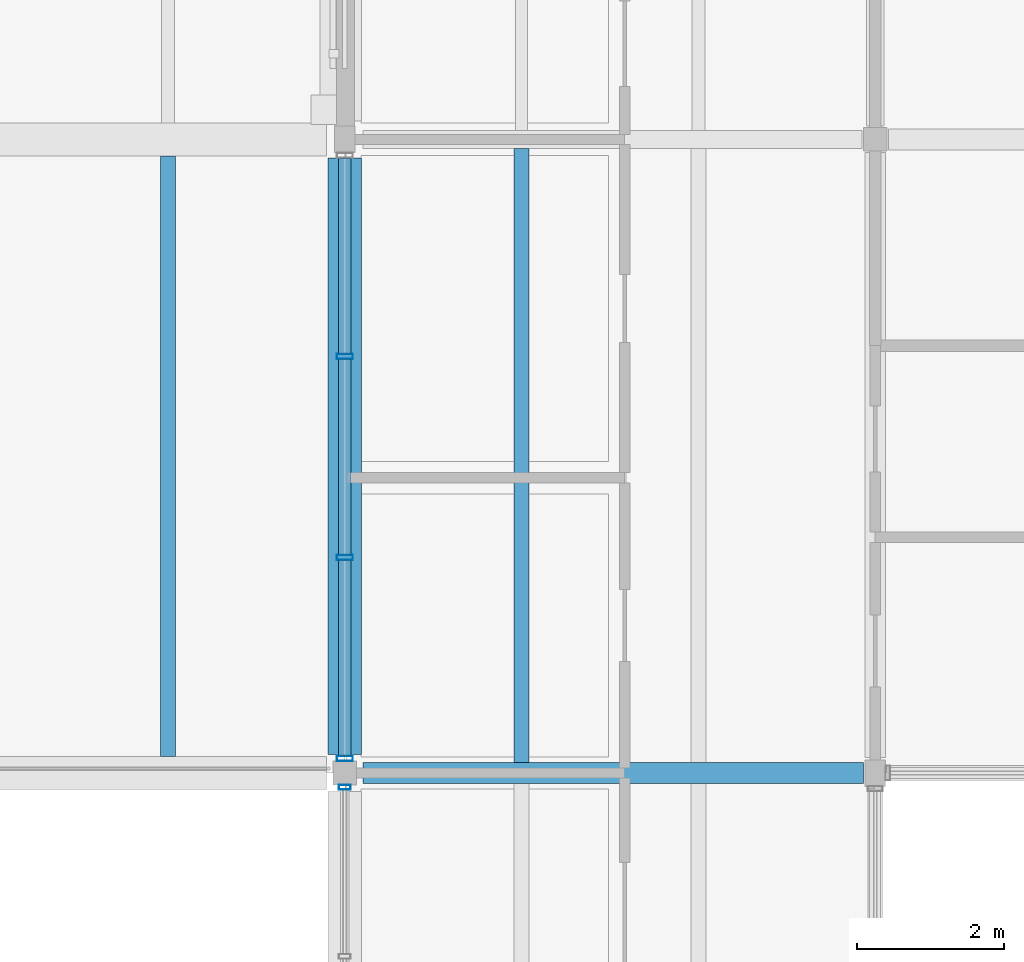
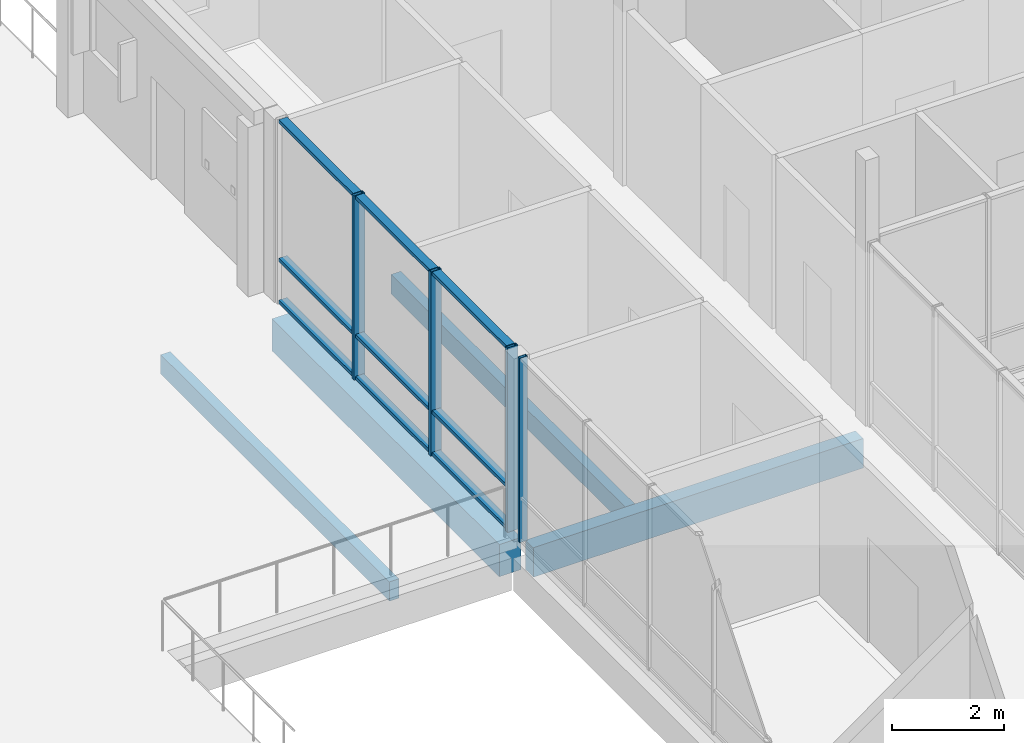
# One storey, part 59 of 115: 13 members, 4 beams, 2 elements without a shape of their own.
"""IFC4 building model written with IfcOpenShell, lengths in metres."""

from ifc_helpers import new_model, si_unit, direction, frame, origin, origin_2d, place, context, subcontext, project, spatial, rectangle, hollow_rectangle, extrude, material, material_profile, profile_set, type_object, element, aggregate, save


model = new_model("IFC4")

# Units and contexts
model_context = context("Model", 3, precision=1e-05, world=origin(), true_north=direction((0.0, 1.0)))
body_context = subcontext(model_context, "Body", "Model", "MODEL_VIEW")
ifc_project = project(units=[si_unit("LENGTHUNIT", "METRE"), si_unit("AREAUNIT", "SQUARE_METRE"), si_unit("VOLUMEUNIT", "CUBIC_METRE"), si_unit("PLANEANGLEUNIT", "RADIAN"), si_unit("MASSUNIT", "GRAM", prefix="KILO")], contexts=[model_context])

# Site, building, storey
site_placement = place(None, origin())
site = spatial("IfcSite", under=ifc_project, at=site_placement, CompositionType="ELEMENT")
building_placement = place(site_placement, origin())
building = spatial("IfcBuilding", under=site, at=building_placement, Name="Hawrajan Terrace Health Centre", CompositionType="ELEMENT")
storey_placement = place(building_placement, frame((0.0, 0.0, 9.0)))
storey = spatial("IfcBuildingStorey", under=building, at=storey_placement, Name="L02", CompositionType="ELEMENT", Elevation=9.0)

# Curtain wall, member
ifc_material_1 = material(Name="Anodized bronze aluminium and low-E solar glazing", Category="aluminium")
curtain_wall_type_1 = type_object("IfcCurtainWallType", Name="CW_Court_SeriesA3", PredefinedType="USERDEFINED", material=ifc_material_1)
curtain_wall_1_placement = place(storey_placement, origin())
curtain_wall_1 = element("IfcCurtainWall", 1, at=curtain_wall_1_placement, inside=storey, type_object=curtain_wall_type_1, Name="Curtain wall CW-L02-147", ObjectType="UNITISED CURTAIN WALL", PredefinedType="USERDEFINED")
ifc_material_2 = material(Name="Anodized bronze aluminium 6063-T6", Category="aluminium")
ifc_material_profile_1 = material_profile(ifc_material_2, hollow_rectangle(XDim=0.06494140625, YDim=0.159912109375, WallThickness=0.00390625, at=origin_2d()), Name="CW MUL 65x160")
ifc_profile_set_1 = profile_set([ifc_material_profile_1], Name="Anodized bronze aluminium 6063-T6")
member_type_1 = type_object("IfcMemberType", Name="CWMullion_65x160", PredefinedType="MULLION", material=ifc_profile_set_1)
member_1_placement = place(storey_placement, frame((143.800048828125, 36.607421875, -0.0048828125), z_axis=(0.0, 0.0, 1.0), x_axis=(0.0, 1.0, 0.0)))
member_1 = element("IfcMember", 2, at=member_1_placement, type_object=member_type_1, Name="Mullion CW-L02-147-M5", PredefinedType="MULLION", context=body_context, shape_type="SweptSolid", body=[
    extrude(hollow_rectangle(XDim=0.06494140625, YDim=0.159912109375, WallThickness=0.00390625, at=origin_2d()), origin(), (0.0, 0.0, 1.0), 4.009765625),
])
aggregate(curtain_wall_1, [member_1])

# Curtain wall, members
curtain_wall_type_2 = type_object("IfcCurtainWallType", Name="CW_Court_SeriesB2", PredefinedType="USERDEFINED", material=ifc_material_1)
curtain_wall_2_placement = place(storey_placement, origin())
curtain_wall_2 = element("IfcCurtainWall", 3, at=curtain_wall_2_placement, inside=storey, type_object=curtain_wall_type_2, Name="Curtain wall CW-L02-149", ObjectType="UNITISED CURTAIN WALL", PredefinedType="USERDEFINED")
ifc_material_profile_2 = material_profile(ifc_material_2, hollow_rectangle(XDim=0.074951171875, YDim=0.219970703125, WallThickness=0.0048828125, at=origin_2d()), Name="CW MUL 75x220")
ifc_profile_set_2 = profile_set([ifc_material_profile_2], Name="Anodized bronze aluminium 6063-T6")
member_type_2 = type_object("IfcMemberType", Name="CWMullion_75x220", PredefinedType="MULLION", material=ifc_profile_set_2)
member_2_placement = place(storey_placement, frame((143.800048828125, 36.99755859375, -0.0048828125), z_axis=(0.0, 0.0, 1.0), x_axis=(0.0, 1.0, 0.0)))
member_2 = element("IfcMember", 4, at=member_2_placement, type_object=member_type_2, Name="Mullion CW-L02-149-M1", PredefinedType="MULLION", context=body_context, shape_type="SweptSolid", body=[
    extrude(hollow_rectangle(XDim=0.074951171875, YDim=0.219970703125, WallThickness=0.0048828125, at=origin_2d()), origin(), (0.0, 0.0, 1.0), 4.009765625),
])
member_3_placement = place(storey_placement, frame((143.800048828125, 39.725830078125, -0.0048828125), z_axis=(0.0, 0.0, 1.0), x_axis=(0.0, 1.0, 0.0)))
member_3 = element("IfcMember", 5, at=member_3_placement, type_object=member_type_2, Name="Mullion CW-L02-149-M2", PredefinedType="MULLION", context=body_context, shape_type="SweptSolid", body=[
    extrude(hollow_rectangle(XDim=0.074951171875, YDim=0.219970703125, WallThickness=0.0048828125, at=origin_2d()), origin(), (0.0, 0.0, 1.0), 4.009765625),
])
member_4_placement = place(storey_placement, frame((143.800048828125, 42.4541015625, -0.0048828125), z_axis=(0.0, 0.0, 1.0), x_axis=(0.0, 1.0, 0.0)))
member_4 = element("IfcMember", 6, at=member_4_placement, type_object=member_type_2, Name="Mullion CW-L02-149-M3", PredefinedType="MULLION", context=body_context, shape_type="SweptSolid", body=[
    extrude(hollow_rectangle(XDim=0.074951171875, YDim=0.219970703125, WallThickness=0.0048828125, at=origin_2d()), origin(), (0.0, 0.0, 1.0), 4.009765625),
])
ifc_material_profile_3 = material_profile(ifc_material_2, hollow_rectangle(XDim=0.074951171875, YDim=0.169921875, WallThickness=0.00439453125, at=origin_2d()), Name="CW TRN 75x170")
ifc_profile_set_3 = profile_set([ifc_material_profile_3], Name="Anodized bronze aluminium 6063-T6")
member_type_3 = type_object("IfcMemberType", Name="CWTransom_75x170", PredefinedType="USERDEFINED", material=ifc_profile_set_3)
member_5_placement = place(storey_placement, frame((143.800048828125, 37.029052734375, 0.03759765625), z_axis=(0.0, 1.0, 0.0), x_axis=(0.0, 0.0, 1.0)))
member_5 = element("IfcMember", 7, at=member_5_placement, type_object=member_type_3, Name="Transom CW-L02-149-T1-1", ObjectType="TRANSOM", PredefinedType="USERDEFINED", context=body_context, shape_type="SweptSolid", body=[
    extrude(hollow_rectangle(XDim=0.074951171875, YDim=0.169921875, WallThickness=0.00439453125, at=origin_2d()), origin(), (0.0, 0.0, 1.0), 2.665283203125),
])
member_6_placement = place(storey_placement, frame((143.800048828125, 37.029052734375, 0.949951171875), z_axis=(0.0, 1.0, 0.0), x_axis=(0.0, 0.0, 1.0)))
member_6 = element("IfcMember", 8, at=member_6_placement, type_object=member_type_3, Name="Transom CW-L02-149-T1-2", ObjectType="TRANSOM", PredefinedType="USERDEFINED", context=body_context, shape_type="SweptSolid", body=[
    extrude(hollow_rectangle(XDim=0.074951171875, YDim=0.169921875, WallThickness=0.00439453125, at=origin_2d()), origin(), (0.0, 0.0, 1.0), 2.665283203125),
])
member_7_placement = place(storey_placement, frame((143.800048828125, 37.029052734375, 3.96240234375), z_axis=(0.0, 1.0, 0.0), x_axis=(0.0, 0.0, 1.0)))
member_7 = element("IfcMember", 9, at=member_7_placement, type_object=member_type_3, Name="Transom CW-L02-149-T1-3", ObjectType="TRANSOM", PredefinedType="USERDEFINED", context=body_context, shape_type="SweptSolid", body=[
    extrude(hollow_rectangle(XDim=0.074951171875, YDim=0.169921875, WallThickness=0.00439453125, at=origin_2d()), origin(), (0.0, 0.0, 1.0), 2.665283203125),
])
member_8_placement = place(storey_placement, frame((143.800048828125, 39.75732421875, 0.03759765625), z_axis=(0.0, 1.0, 0.0), x_axis=(0.0, 0.0, 1.0)))
member_8 = element("IfcMember", 10, at=member_8_placement, type_object=member_type_3, Name="Transom CW-L02-149-T2-1", ObjectType="TRANSOM", PredefinedType="USERDEFINED", context=body_context, shape_type="SweptSolid", body=[
    extrude(hollow_rectangle(XDim=0.074951171875, YDim=0.169921875, WallThickness=0.00439453125, at=origin_2d()), origin(), (0.0, 0.0, 1.0), 2.665283203125),
])
member_9_placement = place(storey_placement, frame((143.800048828125, 39.75732421875, 0.949951171875), z_axis=(0.0, 1.0, 0.0), x_axis=(0.0, 0.0, 1.0)))
member_9 = element("IfcMember", 11, at=member_9_placement, type_object=member_type_3, Name="Transom CW-L02-149-T2-2", ObjectType="TRANSOM", PredefinedType="USERDEFINED", context=body_context, shape_type="SweptSolid", body=[
    extrude(hollow_rectangle(XDim=0.074951171875, YDim=0.169921875, WallThickness=0.00439453125, at=origin_2d()), origin(), (0.0, 0.0, 1.0), 2.665283203125),
])
member_10_placement = place(storey_placement, frame((143.800048828125, 39.75732421875, 3.96240234375), z_axis=(0.0, 1.0, 0.0), x_axis=(0.0, 0.0, 1.0)))
member_10 = element("IfcMember", 12, at=member_10_placement, type_object=member_type_3, Name="Transom CW-L02-149-T2-3", ObjectType="TRANSOM", PredefinedType="USERDEFINED", context=body_context, shape_type="SweptSolid", body=[
    extrude(hollow_rectangle(XDim=0.074951171875, YDim=0.169921875, WallThickness=0.00439453125, at=origin_2d()), origin(), (0.0, 0.0, 1.0), 2.665283203125),
])
member_11_placement = place(storey_placement, frame((143.800048828125, 42.485595703125, 0.03759765625), z_axis=(0.0, 1.0, 0.0), x_axis=(0.0, 0.0, 1.0)))
member_11 = element("IfcMember", 13, at=member_11_placement, type_object=member_type_3, Name="Transom CW-L02-149-T3-1", ObjectType="TRANSOM", PredefinedType="USERDEFINED", context=body_context, shape_type="SweptSolid", body=[
    extrude(hollow_rectangle(XDim=0.074951171875, YDim=0.169921875, WallThickness=0.00439453125, at=origin_2d()), origin(), (0.0, 0.0, 1.0), 2.665283203125),
])
member_12_placement = place(storey_placement, frame((143.800048828125, 42.485595703125, 0.949951171875), z_axis=(0.0, 1.0, 0.0), x_axis=(0.0, 0.0, 1.0)))
member_12 = element("IfcMember", 14, at=member_12_placement, type_object=member_type_3, Name="Transom CW-L02-149-T3-2", ObjectType="TRANSOM", PredefinedType="USERDEFINED", context=body_context, shape_type="SweptSolid", body=[
    extrude(hollow_rectangle(XDim=0.074951171875, YDim=0.169921875, WallThickness=0.00439453125, at=origin_2d()), origin(), (0.0, 0.0, 1.0), 2.665283203125),
])
member_13_placement = place(storey_placement, frame((143.800048828125, 42.485595703125, 3.96240234375), z_axis=(0.0, 1.0, 0.0), x_axis=(0.0, 0.0, 1.0)))
member_13 = element("IfcMember", 15, at=member_13_placement, type_object=member_type_3, Name="Transom CW-L02-149-T3-3", ObjectType="TRANSOM", PredefinedType="USERDEFINED", context=body_context, shape_type="SweptSolid", body=[
    extrude(hollow_rectangle(XDim=0.074951171875, YDim=0.169921875, WallThickness=0.00439453125, at=origin_2d()), origin(), (0.0, 0.0, 1.0), 2.665283203125),
])
aggregate(curtain_wall_2, [member_2, member_3, member_4, member_5, member_6, member_7, member_8, member_9, member_10, member_11, member_12, member_13])

# Beams
ifc_material_3 = material(Name="Glulam GL32h", Category="wood")
ifc_material_profile_4 = material_profile(ifc_material_3, rectangle(XDim=0.280029296875, YDim=0.639892578125, at=origin_2d()), Name="GL BM 280x640")
ifc_profile_set_4 = profile_set([ifc_material_profile_4], Name="Glulam GL32h")
beam_type_1 = type_object("IfcBeamType", Name="GlulamGirder_280x640", PredefinedType="BEAM", material=ifc_profile_set_4)
beam_1_placement = place(storey_placement, frame((144.050048828125, 36.800048828125, -0.60009765625), z_axis=(1.0, 0.0, 0.0), x_axis=(0.0, 1.0, 0.0)))
element("IfcBeam", 16, at=beam_1_placement, inside=storey, type_object=beam_type_1, Name="Beam BM-X-L02-E-19-Y5", PredefinedType="BEAM", context=body_context, shape_type="SweptSolid", body=[
    extrude(rectangle(XDim=0.280029296875, YDim=0.639892578125, at=origin_2d()), origin(), (0.0, 0.0, 1.0), 6.7900390625),
])
ifc_material_4 = material(Name="Glulam GL28h", Category="wood")
ifc_material_profile_5 = material_profile(ifc_material_4, rectangle(XDim=0.199951171875, YDim=0.419921875, at=origin_2d()), Name="GL JST 200x420")
ifc_profile_set_5 = profile_set([ifc_material_profile_5], Name="Glulam GL28h")
beam_type_2 = type_object("IfcBeamType", Name="GlulamJoist_200x420", PredefinedType="JOIST", material=ifc_profile_set_5)
beam_2_placement = place(storey_placement, frame((141.39990234375, 37.02490234375, -0.489990234375), z_axis=(0.0, 1.0, 0.0), x_axis=(-1.0, 0.0, 0.0)))
element("IfcBeam", 17, at=beam_2_placement, inside=storey, type_object=beam_type_2, Name="Secondary joist JST-L02-E-18-5-2", PredefinedType="JOIST", context=body_context, shape_type="SweptSolid", body=[
    extrude(rectangle(XDim=0.199951171875, YDim=0.419921875, at=origin_2d()), origin(), (0.0, 0.0, 1.0), 8.150146484375),
])
beam_3_placement = place(storey_placement, frame((146.199951171875, 36.93994140625, -0.489990234375), z_axis=(0.0, 1.0, 0.0), x_axis=(-1.0, 0.0, 0.0)))
element("IfcBeam", 18, at=beam_3_placement, inside=storey, type_object=beam_type_2, Name="Secondary joist JST-L02-E-19-5-1", PredefinedType="JOIST", context=body_context, shape_type="SweptSolid", body=[
    extrude(rectangle(XDim=0.199951171875, YDim=0.419921875, at=origin_2d()), origin(), (0.0, 0.0, 1.0), 8.340087890625),
])
ifc_material_5 = material(Name="Concrete C40/50", Category="concrete")
ifc_material_profile_6 = material_profile(ifc_material_5, rectangle(XDim=0.449951171875, YDim=0.699951171875, at=origin_2d()), Name="RC BM 450x700")
ifc_profile_set_6 = profile_set([ifc_material_profile_6], Name="Concrete C40/50")
beam_type_3 = type_object("IfcBeamType", Name="RCGirder_450x700", PredefinedType="BEAM", material=ifc_profile_set_6)
beam_4_placement = place(storey_placement, frame((143.800048828125, 37.050048828125, -0.6298828125), z_axis=(0.0, 1.0, 0.0), x_axis=(-1.0, 0.0, 0.0)))
element("IfcBeam", 19, at=beam_4_placement, inside=storey, type_object=beam_type_3, Name="Beam BM-Y-L02-E-X19-5", PredefinedType="BEAM", context=body_context, shape_type="SweptSolid", body=[
    extrude(rectangle(XDim=0.449951171875, YDim=0.699951171875, at=origin_2d()), origin(), (0.0, 0.0, 1.0), 8.099853515625),
])

save(model, "model.ifc")
